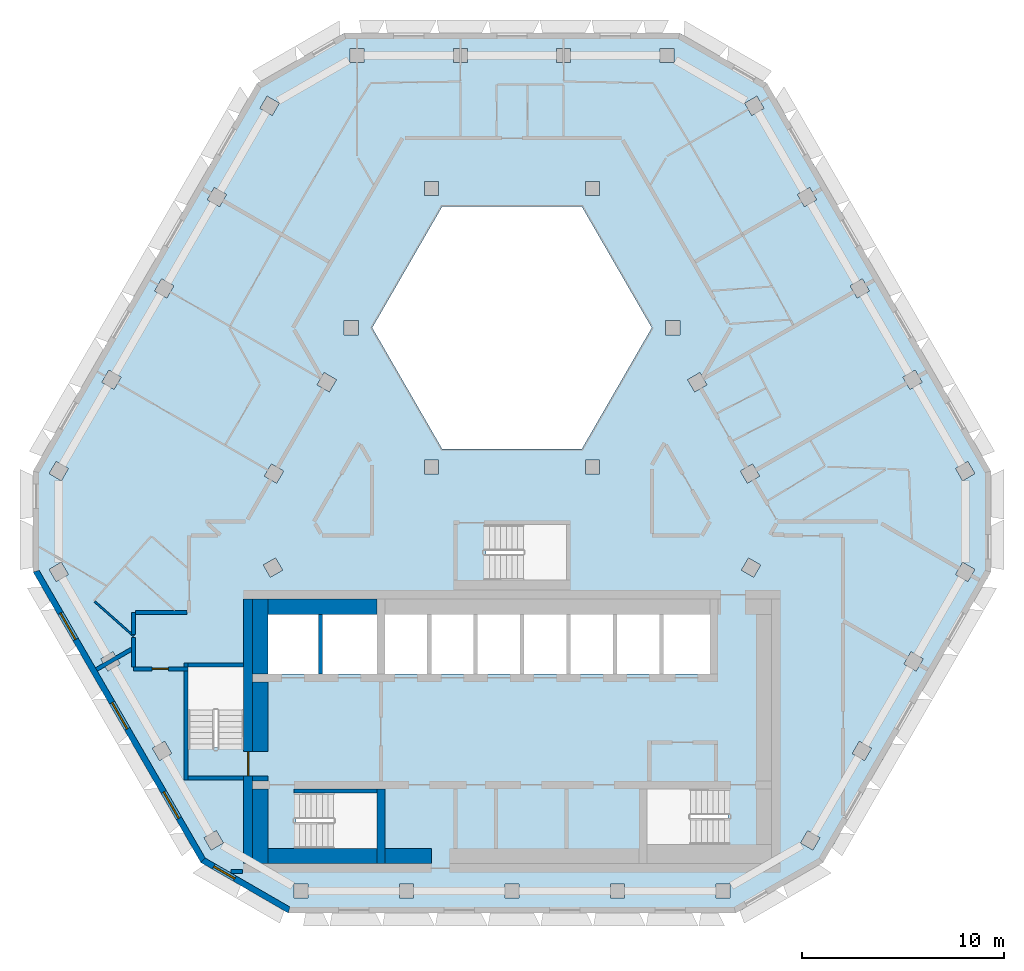
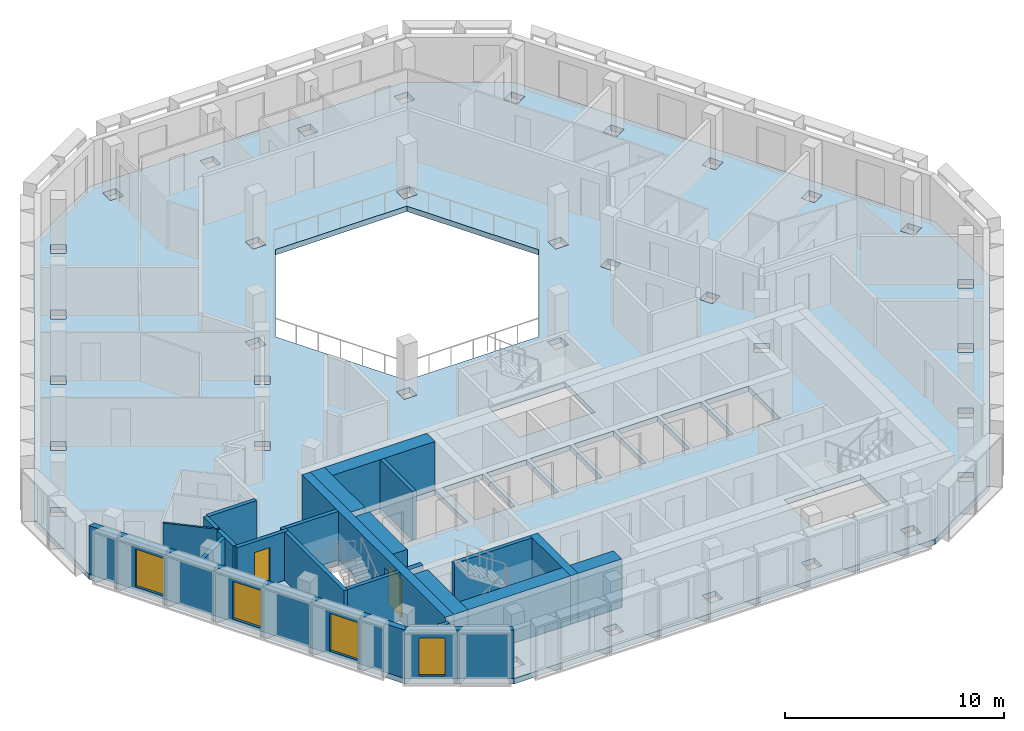
# One storey, part 2 of 14: 23 walls, 4 windows, 2 doors, 1 slab, 6 openings.
"""IFC4 building model written with IfcOpenShell, lengths in metres."""

from ifc_helpers import new_model, si_unit, direction, frame, frame_2d, origin, place, context, subcontext, project, spatial, polyline, rectangle, outline, extrude, material, layer, layer_set, type_object, element, fill, save


model = new_model("IFC4")

# Units and contexts
model_context = context("Model", 3, precision=1e-05, world=origin(), true_north=direction((0.0, 1.0)))
body_context = subcontext(model_context, "Body", "Model", "MODEL_VIEW")
ifc_project = project(units=[si_unit("LENGTHUNIT", "METRE"), si_unit("AREAUNIT", "SQUARE_METRE"), si_unit("VOLUMEUNIT", "CUBIC_METRE"), si_unit("PLANEANGLEUNIT", "RADIAN"), si_unit("MASSUNIT", "GRAM", prefix="KILO")], contexts=[model_context])

# Site, building, storey
site_placement = place(None, origin())
site = spatial("IfcSite", under=ifc_project, at=site_placement, CompositionType="ELEMENT")
building_placement = place(site_placement, origin())
building = spatial("IfcBuilding", under=site, at=building_placement, Name="Beryl Residences", CompositionType="ELEMENT")
storey_placement = place(building_placement, frame((0.0, 0.0, 223.800048828125)))
storey = spatial("IfcBuildingStorey", under=building, at=storey_placement, Name="L69", CompositionType="ELEMENT", Elevation=223.800048828125)

# Slab
ifc_material_1 = material(Name="Concrete C40/50", Category="concrete")
ifc_layer_1 = layer(ifc_material_1, 0.300048828125)
ifc_layer_set_1 = layer_set([ifc_layer_1], Name="SL7 PT floor slab 300 mm C40/50")
slab_type = type_object("IfcSlabType", Name="SL7 PT floor slab 300 mm C40/50", PredefinedType="FLOOR", material=ifc_layer_set_1)
slab_placement = place(storey_placement, frame((0.0, 0.0, -0.300048828125)))
element("IfcSlab", 1, at=slab_placement, inside=storey, type_object=slab_type, Name="L69 slab 1", PredefinedType="FLOOR", context=body_context, shape_type="SweptSolid", body=[
    extrude(outline(polyline([(23.72900390625, -4.10009765625), (15.4150390625, -18.5), (11.0849609375, -21.0), (-11.0849609375, -21.0), (-15.4150390625, -18.5), (-23.72900390625, -4.10009765625), (-23.72900390625, 0.89990234375), (-12.64404296875, 20.10009765625), (-8.31396484375, 22.60009765625), (8.31396484375, 22.60009765625), (12.64404296875, 20.10009765625), (23.72900390625, 0.89990234375), (23.72900390625, -4.10009765625)]), holes=[polyline([(21.97998046875, 1.028076171875), (22.330078125, 0.422119140625), (22.93603515625, 0.77197265625), (22.5859375, 1.3779296875), (21.97998046875, 1.028076171875)]), polyline([(21.97998046875, -4.22900390625), (22.5859375, -4.5791015625), (22.93603515625, -3.972900390625), (22.330078125, -3.623046875), (21.97998046875, -4.22900390625)]), polyline([(19.77099609375, -8.055908203125), (19.4208984375, -8.662109375), (20.027099609375, -9.011962890625), (20.376953125, -8.406005859375), (19.77099609375, -8.055908203125)]), polyline([(19.367919921875, 5.552978515625), (19.718017578125, 4.947021484375), (20.323974609375, 5.297119140625), (19.97412109375, 5.903076171875), (19.367919921875, 5.552978515625)]), polyline([(17.2109375, -12.489013671875), (16.861083984375, -13.094970703125), (17.467041015625, -13.445068359375), (17.81689453125, -12.839111328125), (17.2109375, -12.489013671875)]), polyline([(17.361083984375, 10.427978515625), (16.7548828125, 10.077880859375), (17.10498046875, 9.471923828125), (17.7109375, 9.822021484375), (17.361083984375, 10.427978515625)]), polyline([(15.258056640625, -17.27197265625), (14.652099609375, -16.922119140625), (14.302001953125, -17.528076171875), (14.907958984375, -17.8779296875), (15.258056640625, -17.27197265625)]), polyline([(14.14306640625, 14.60302734375), (14.492919921875, 13.9970703125), (15.09912109375, 14.346923828125), (14.7490234375, 14.952880859375), (14.14306640625, 14.60302734375)]), polyline([(11.531005859375, 19.1279296875), (11.881103515625, 18.52197265625), (12.487060546875, 18.8720703125), (12.136962890625, 19.47802734375), (11.531005859375, 19.1279296875)]), polyline([(11.717041015625, -3.406005859375), (11.366943359375, -4.011962890625), (11.972900390625, -4.362060546875), (12.322998046875, -3.756103515625), (11.717041015625, -3.406005859375)]), polyline([(11.919921875, 1.2529296875), (11.31396484375, 0.903076171875), (11.6640625, 0.297119140625), (12.27001953125, 0.64697265625), (11.919921875, 1.2529296875)]), polyline([(10.800048828125, -19.550048828125), (10.10009765625, -19.550048828125), (10.10009765625, -20.25), (10.800048828125, -20.25), (10.800048828125, -19.550048828125)]), polyline([(6.699951171875, -14.85009765625), (6.699951171875, -17.60009765625), (10.699951171875, -17.60009765625), (10.699951171875, -14.85009765625), (6.699951171875, -14.85009765625)]), polyline([(7.5, -9.14990234375), (9.800048828125, -9.14990234375), (9.800048828125, -6.199951171875), (7.5, -6.199951171875), (7.5, -9.14990234375)]), polyline([(8.700927734375, 5.427978515625), (9.051025390625, 4.822021484375), (9.656982421875, 5.172119140625), (9.306884765625, 5.778076171875), (8.700927734375, 5.427978515625)]), polyline([(8.31689453125, 7.64990234375), (8.31689453125, 8.35009765625), (7.616943359375, 8.35009765625), (7.616943359375, 7.64990234375), (8.31689453125, 7.64990234375)]), polyline([(7.3291015625, 21.85009765625), (7.3291015625, 21.14990234375), (8.029052734375, 21.14990234375), (8.029052734375, 21.85009765625), (7.3291015625, 21.85009765625)]), polyline([(5.199951171875, -9.14990234375), (7.300048828125, -9.14990234375), (7.300048828125, -6.199951171875), (5.199951171875, -6.199951171875), (5.199951171875, -9.14990234375)]), polyline([(3.464111328125, 14.0), (-3.464111328125, 14.0), (-6.92822265625, 8.0), (-3.464111328125, 2.0), (3.464111328125, 2.0), (6.92822265625, 8.0), (3.464111328125, 14.0)]), polyline([(4.875, -19.550048828125), (4.875, -20.25), (5.574951171875, -20.25), (5.574951171875, -19.550048828125), (4.875, -19.550048828125)]), polyline([(2.89990234375, -9.14990234375), (5.0, -9.14990234375), (5.0, -6.199951171875), (2.89990234375, -6.199951171875), (2.89990234375, -9.14990234375)]), polyline([(4.333984375, 15.25), (3.634033203125, 15.25), (3.634033203125, 14.550048828125), (4.333984375, 14.550048828125), (4.333984375, 15.25)]), polyline([(4.333984375, 1.449951171875), (3.634033203125, 1.449951171875), (3.634033203125, 0.75), (4.333984375, 0.75), (4.333984375, 1.449951171875)]), polyline([(2.2099609375, 21.85009765625), (2.2099609375, 21.14990234375), (2.909912109375, 21.14990234375), (2.909912109375, 21.85009765625), (2.2099609375, 21.85009765625)]), polyline([(2.699951171875, -9.14990234375), (2.699951171875, -6.199951171875), (0.60009765625, -6.199951171875), (0.60009765625, -9.14990234375), (2.699951171875, -9.14990234375)]), polyline([(2.699951171875, -4.5), (2.699951171875, -1.75), (-1.300048828125, -1.75), (-1.300048828125, -4.5), (2.699951171875, -4.5)]), polyline([(0.39990234375, -6.199951171875), (-1.699951171875, -6.199951171875), (-1.699951171875, -9.14990234375), (0.39990234375, -9.14990234375), (0.39990234375, -6.199951171875)]), polyline([(0.35009765625, -19.550048828125), (-0.35009765625, -19.550048828125), (-0.35009765625, -20.25), (0.35009765625, -20.25), (0.35009765625, -19.550048828125)]), polyline([(-4.0, -9.14990234375), (-1.89990234375, -9.14990234375), (-1.89990234375, -6.199951171875), (-4.0, -6.199951171875), (-4.0, -9.14990234375)]), polyline([(-2.908935546875, 21.14990234375), (-2.208984375, 21.14990234375), (-2.208984375, 21.85009765625), (-2.908935546875, 21.85009765625), (-2.908935546875, 21.14990234375)]), polyline([(-3.634033203125, 15.25), (-4.333984375, 15.25), (-4.333984375, 14.550048828125), (-3.634033203125, 14.550048828125), (-3.634033203125, 15.25)]), polyline([(-4.333984375, 1.449951171875), (-4.333984375, 0.75), (-3.634033203125, 0.75), (-3.634033203125, 1.449951171875), (-4.333984375, 1.449951171875)]), polyline([(-6.300048828125, -9.14990234375), (-4.199951171875, -9.14990234375), (-4.199951171875, -6.199951171875), (-6.300048828125, -6.199951171875), (-6.300048828125, -9.14990234375)]), polyline([(-4.875, -19.550048828125), (-5.574951171875, -19.550048828125), (-5.574951171875, -20.25), (-4.875, -20.25), (-4.875, -19.550048828125)]), polyline([(-9.39990234375, -6.199951171875), (-9.39990234375, -9.14990234375), (-6.699951171875, -9.14990234375), (-6.699951171875, -6.199951171875), (-9.39990234375, -6.199951171875)]), polyline([(-10.699951171875, -15.050048828125), (-10.699951171875, -17.800048828125), (-6.699951171875, -17.800048828125), (-6.699951171875, -15.050048828125), (-10.699951171875, -15.050048828125)]), polyline([(-8.028076171875, 21.14990234375), (-7.327880859375, 21.14990234375), (-7.327880859375, 21.85009765625), (-8.028076171875, 21.85009765625), (-8.028076171875, 21.14990234375)]), polyline([(-7.616943359375, 7.64990234375), (-7.616943359375, 8.35009765625), (-8.31689453125, 8.35009765625), (-8.31689453125, 7.64990234375), (-7.616943359375, 7.64990234375)]), polyline([(-9.051025390625, 4.822021484375), (-8.700927734375, 5.427978515625), (-9.306884765625, 5.778076171875), (-9.656982421875, 5.172119140625), (-9.051025390625, 4.822021484375)]), polyline([(-12.10009765625, -9.14990234375), (-9.60009765625, -9.14990234375), (-9.60009765625, -6.199951171875), (-12.10009765625, -6.199951171875), (-12.10009765625, -9.14990234375)]), polyline([(-10.800048828125, -19.550048828125), (-10.800048828125, -20.25), (-10.10009765625, -20.25), (-10.10009765625, -19.550048828125), (-10.800048828125, -19.550048828125)]), polyline([(-12.27001953125, 0.64697265625), (-11.6640625, 0.297119140625), (-11.31396484375, 0.903076171875), (-11.919921875, 1.2529296875), (-12.27001953125, 0.64697265625)]), polyline([(-11.972900390625, -4.361083984375), (-11.366943359375, -4.010986328125), (-11.717041015625, -3.405029296875), (-12.322998046875, -3.7548828125), (-11.972900390625, -4.361083984375)]), polyline([(-12.487060546875, 18.8720703125), (-11.881103515625, 18.52197265625), (-11.531005859375, 19.1279296875), (-12.136962890625, 19.47802734375), (-12.487060546875, 18.8720703125)]), polyline([(-13.300048828125, -8.800048828125), (-16.050048828125, -8.800048828125), (-16.050048828125, -12.800048828125), (-13.300048828125, -12.800048828125), (-13.300048828125, -8.800048828125)]), polyline([(-14.14306640625, 14.60302734375), (-14.7490234375, 14.952880859375), (-15.09912109375, 14.346923828125), (-14.492919921875, 13.9970703125), (-14.14306640625, 14.60302734375)]), polyline([(-14.302978515625, -17.527099609375), (-14.653076171875, -16.9208984375), (-15.259033203125, -17.27099609375), (-14.908935546875, -17.876953125), (-14.302978515625, -17.527099609375)]), polyline([(-17.10498046875, 9.471923828125), (-16.7548828125, 10.077880859375), (-17.361083984375, 10.427978515625), (-17.7109375, 9.822021484375), (-17.10498046875, 9.471923828125)]), polyline([(-17.2119140625, -12.488037109375), (-17.818115234375, -12.837890625), (-17.468017578125, -13.444091796875), (-16.862060546875, -13.093994140625), (-17.2119140625, -12.488037109375)]), polyline([(-19.718017578125, 4.947021484375), (-19.367919921875, 5.552978515625), (-19.97412109375, 5.903076171875), (-20.323974609375, 5.297119140625), (-19.718017578125, 4.947021484375)]), polyline([(-19.4208984375, -8.660888671875), (-19.77099609375, -8.054931640625), (-20.376953125, -8.405029296875), (-20.027099609375, -9.010986328125), (-19.4208984375, -8.660888671875)]), polyline([(-22.330078125, 0.422119140625), (-21.97998046875, 1.028076171875), (-22.5859375, 1.3779296875), (-22.93603515625, 0.77197265625), (-22.330078125, 0.422119140625)]), polyline([(-21.98095703125, -4.22802734375), (-22.3310546875, -3.6220703125), (-22.93701171875, -3.971923828125), (-22.5869140625, -4.577880859375), (-21.98095703125, -4.22802734375)])]), origin(), (0.0, 0.0, 1.0), 0.300048828125),
])

# Wall, openings, windows
ifc_material_2 = material(Name="Composite metal panel with mineral wool insulation")
ifc_layer_2 = layer(ifc_material_2, 0.300048828125)
ifc_layer_set_2 = layer_set([ifc_layer_2], Name="ES1 pale metal composite panel wall 300 mm")
wall_type_1 = type_object("IfcWallType", Name="ES1 pale metal composite panel wall 300 mm", PredefinedType="SOLIDWALL", material=ifc_layer_set_2)
wall_1_placement = place(storey_placement, frame((-23.59912109375, -4.02490234375, 0.0), z_axis=(0.0, 0.0, 1.0), x_axis=(0.500012653391, -0.866018098222, 0.0)))
wall_1 = element("IfcWall", 2, at=wall_1_placement, inside=storey, type_object=wall_type_1, Name="ES1 external wall L69 SW", PredefinedType="SOLIDWALL", context=body_context, shape_type="SweptSolid", body=[
    extrude(outline(polyline([(0.0, -0.14990234375), (16.6279296875, -0.14990234375), (16.547607421875, 0.14990234375), (0.080322265625, 0.14990234375), (0.0, -0.14990234375)])), origin(), (0.0, 0.0, 1.0), 2.699951171875),
])
opening_1_placement = place(wall_1_placement, frame((2.444091796875, 0.0, 0.14990234375)))
opening_1 = element("IfcOpeningElement", 3, at=opening_1_placement, cuts=wall_1, Name="Opening W1", PredefinedType="OPENING", context=body_context, shape_type="SweptSolid", body=[
    extrude(rectangle(XDim=1.5, YDim=2.10009765625, at=frame_2d((0.75, 1.050048828125))), frame((0.0, 0.159912109375, 0.0), z_axis=(0.0, -1.0, 0.0), x_axis=(1.0, 0.0, 0.0)), (0.0, 0.0, 1.0), 0.320068359375),
])
opening_2_placement = place(wall_1_placement, frame((7.56396484375, 0.0, 0.14990234375)))
opening_2 = element("IfcOpeningElement", 4, at=opening_2_placement, cuts=wall_1, Name="Opening W1", PredefinedType="OPENING", context=body_context, shape_type="SweptSolid", body=[
    extrude(rectangle(XDim=1.5, YDim=2.10009765625, at=frame_2d((0.75, 1.050048828125))), frame((0.0, 0.159912109375, 0.0), z_axis=(0.0, -1.0, 0.0), x_axis=(1.0, 0.0, 0.0)), (0.0, 0.0, 1.0), 0.320068359375),
])
opening_3_placement = place(wall_1_placement, frame((12.681884765625, 0.0, 0.14990234375)))
opening_3 = element("IfcOpeningElement", 5, at=opening_3_placement, cuts=wall_1, Name="Opening W1", PredefinedType="OPENING", context=body_context, shape_type="SweptSolid", body=[
    extrude(rectangle(XDim=1.5, YDim=2.10009765625, at=frame_2d((0.75, 1.050048828125))), frame((0.0, 0.159912109375, 0.0), z_axis=(0.0, -1.0, 0.0), x_axis=(1.0, 0.0, 0.0)), (0.0, 0.0, 1.0), 0.320068359375),
])
ifc_material_3 = material(Name="Aluminium and clear glass", Category="aluminium")
window_type_1 = type_object("IfcWindowType", Name="W1 cell window 1500 x 2100 mm", PartitioningType="SINGLE_PANEL", PredefinedType="WINDOW", material=ifc_material_3)
window_1_placement = place(opening_1_placement, origin())
window_1 = element("IfcWindow", 6, at=window_1_placement, inside=storey, type_object=window_type_1, Name="W1 window L69 SW 2", OverallHeight=2.10009765625, OverallWidth=1.5, PartitioningType="SINGLE_PANEL", PredefinedType="WINDOW", context=body_context, shape_type="SweptSolid", body=[
    extrude(rectangle(XDim=1.5, YDim=2.10009765625, at=frame_2d((0.75, 1.050048828125))), frame((0.0, 0.030029296875, 0.0), z_axis=(0.0, -1.0, 0.0), x_axis=(1.0, 0.0, 0.0)), (0.0, 0.0, 1.0), 0.06005859375),
])
fill(opening_1, window_1)
window_2_placement = place(opening_2_placement, origin())
window_2 = element("IfcWindow", 7, at=window_2_placement, inside=storey, type_object=window_type_1, Name="W1 window L69 SW 4", OverallHeight=2.10009765625, OverallWidth=1.5, PartitioningType="SINGLE_PANEL", PredefinedType="WINDOW", context=body_context, shape_type="SweptSolid", body=[
    extrude(rectangle(XDim=1.5, YDim=2.10009765625, at=frame_2d((0.75, 1.050048828125))), frame((0.0, 0.030029296875, 0.0), z_axis=(0.0, -1.0, 0.0), x_axis=(1.0, 0.0, 0.0)), (0.0, 0.0, 1.0), 0.06005859375),
])
fill(opening_2, window_2)
window_3_placement = place(opening_3_placement, origin())
window_3 = element("IfcWindow", 8, at=window_3_placement, inside=storey, type_object=window_type_1, Name="W1 window L69 SW 6", OverallHeight=2.10009765625, OverallWidth=1.5, PartitioningType="SINGLE_PANEL", PredefinedType="WINDOW", context=body_context, shape_type="SweptSolid", body=[
    extrude(rectangle(XDim=1.5, YDim=2.10009765625, at=frame_2d((0.75, 1.050048828125))), frame((0.0, 0.030029296875, 0.0), z_axis=(0.0, -1.0, 0.0), x_axis=(1.0, 0.0, 0.0)), (0.0, 0.0, 1.0), 0.06005859375),
])
fill(opening_3, window_3)

# Wall, opening, window
wall_2_placement = place(storey_placement, frame((-15.340087890625, -18.3701171875, 0.0), z_axis=(0.0, 0.0, 1.0), x_axis=(0.866022959057, -0.500004234368, 0.0)))
wall_2 = element("IfcWall", 9, at=wall_2_placement, inside=storey, type_object=wall_type_1, Name="ES1 external wall L69 SW-S", PredefinedType="SOLIDWALL", context=body_context, shape_type="SweptSolid", body=[
    extrude(outline(polyline([(0.0, -0.14990234375), (5.0, -0.14990234375), (4.919677734375, 0.14990234375), (0.080322265625, 0.14990234375), (0.0, -0.14990234375)])), origin(), (0.0, 0.0, 1.0), 2.699951171875),
])
opening_4_placement = place(wall_2_placement, frame((0.64990234375, 0.0, 0.14990234375)))
opening_4 = element("IfcOpeningElement", 10, at=opening_4_placement, cuts=wall_2, Name="Opening W2", PredefinedType="OPENING", context=body_context, shape_type="SweptSolid", body=[
    extrude(rectangle(XDim=1.199951171875, YDim=2.10009765625, at=frame_2d((0.60009765625, 1.050048828125))), frame((0.0, 0.159912109375, 0.0), z_axis=(0.0, -1.0, 0.0), x_axis=(1.0, 0.0, 0.0)), (0.0, 0.0, 1.0), 0.320068359375),
])
ifc_material_4 = material(Name="Aluminium and clear glass", Category="aluminium")
window_type_2 = type_object("IfcWindowType", Name="W2 chamfer window 1200 x 2100 mm", PartitioningType="SINGLE_PANEL", PredefinedType="WINDOW", material=ifc_material_4)
window_4_placement = place(opening_4_placement, origin())
window_4 = element("IfcWindow", 11, at=window_4_placement, inside=storey, type_object=window_type_2, Name="W2 window L69 SW-S 1", OverallHeight=2.10009765625, OverallWidth=1.199951171875, PartitioningType="SINGLE_PANEL", PredefinedType="WINDOW", context=body_context, shape_type="SweptSolid", body=[
    extrude(rectangle(XDim=1.199951171875, YDim=2.10009765625, at=frame_2d((0.60009765625, 1.050048828125))), frame((0.0, 0.030029296875, 0.0), z_axis=(0.0, -1.0, 0.0), x_axis=(1.0, 0.0, 0.0)), (0.0, 0.0, 1.0), 0.06005859375),
])
fill(opening_4, window_4)

# Walls
ifc_material_5 = material(Name="Gypsum board partition on steel studs", Category="steel")
ifc_layer_3 = layer(ifc_material_5, 0.10009765625)
ifc_layer_set_3 = layer_set([ifc_layer_3], Name="PT1 partition 100 mm gypsum board on steel studs")
wall_type_2 = type_object("IfcWallType", Name="PT1 partition 100 mm gypsum board on steel studs", PredefinedType="PARTITIONING", material=ifc_layer_set_3)
wall_3_placement = place(storey_placement, frame((-20.678955078125, -5.56494140625, 0.0), z_axis=(0.0, 0.0, 1.0), x_axis=(0.748495475416, -0.663139897217, 0.0)))
element("IfcWall", 12, at=wall_3_placement, inside=storey, type_object=wall_type_2, Name="Wall PT1 L69 020", PredefinedType="PARTITIONING", context=body_context, shape_type="SweptSolid", body=[
    extrude(rectangle(XDim=2.5771484375, YDim=0.10009765625, at=frame_2d((1.28857421875, 0.0))), origin(), (0.0, 0.0, 1.0), 2.699951171875),
])
ifc_material_6 = material(Name="Concrete masonry", Category="masonry")
ifc_layer_4 = layer(ifc_material_6, 0.25)
ifc_layer_set_4 = layer_set([ifc_layer_4], Name="PT13-250 lobby wall 250 mm")
wall_type_3 = type_object("IfcWallType", Name="PT13-250 lobby wall 250 mm", PredefinedType="PARTITIONING", material=ifc_layer_set_4)
wall_4_placement = place(storey_placement, frame((-12.85009765625, -14.324951171875, 0.0), z_axis=(0.0, 0.0, 1.0), x_axis=(1.0, 0.0, 0.0)))
element("IfcWall", 13, at=wall_4_placement, inside=storey, type_object=wall_type_3, Name="Lobby wall 05", PredefinedType="PARTITIONING", context=body_context, shape_type="SweptSolid", body=[
    extrude(rectangle(XDim=0.75, YDim=0.25, at=frame_2d((0.375, 0.0))), origin(), (0.0, 0.0, 1.0), 2.699951171875),
])
ifc_material_7 = material(Name="Concrete masonry", Category="masonry")
ifc_layer_5 = layer(ifc_material_7, 0.75)
ifc_layer_set_5 = layer_set([ifc_layer_5], Name="PT13-750 lobby wall 750 mm")
wall_type_4 = type_object("IfcWallType", Name="PT13-750 lobby wall 750 mm", PredefinedType="PARTITIONING", material=ifc_layer_set_5)
wall_5_placement = place(storey_placement, frame((-12.47509765625, -13.0, 0.0), z_axis=(0.0, 0.0, 1.0), x_axis=(0.0, 1.0, 0.0)))
element("IfcWall", 14, at=wall_5_placement, inside=storey, type_object=wall_type_4, Name="Lobby wall 06", PredefinedType="PARTITIONING", context=body_context, shape_type="SweptSolid", body=[
    extrude(rectangle(XDim=3.449951171875, YDim=0.75, at=frame_2d((1.72509765625, 0.0))), origin(), (0.0, 0.0, 1.0), 2.699951171875),
])
ifc_material_8 = material(Name="Acoustic double stud gypsum board wall")
ifc_layer_6 = layer(ifc_material_8, 0.199951171875)
ifc_layer_set_6 = layer_set([ifc_layer_6], Name="PT3 party wall 200 mm acoustic double stud")
wall_type_5 = type_object("IfcWallType", Name="PT3 party wall 200 mm acoustic double stud", PredefinedType="PARTITIONING", material=ifc_layer_set_6)
wall_6_placement = place(storey_placement, frame((-13.9150390625, -18.949951171875, 0.0), z_axis=(0.0, 0.0, 1.0), x_axis=(1.0, 0.0, 0.0)))
element("IfcWall", 15, at=wall_6_placement, inside=storey, type_object=wall_type_5, Name="Wall PT3 L69 007", PredefinedType="PARTITIONING", context=body_context, shape_type="SweptSolid", body=[
    extrude(rectangle(XDim=0.554931640625, YDim=0.199951171875, at=frame_2d((0.27734375, 0.0))), origin(), (0.0, 0.0, 1.0), 2.699951171875),
])
wall_7_placement = place(storey_placement, frame((-20.592041015625, -8.93310546875, 0.0), z_axis=(0.0, 0.0, 1.0), x_axis=(0.865941000796, 0.500146161777, 0.0)))
element("IfcWall", 16, at=wall_7_placement, inside=storey, type_object=wall_type_5, Name="Wall PT3 L69 011", PredefinedType="PARTITIONING", context=body_context, shape_type="SweptSolid", body=[
    extrude(rectangle(XDim=2.01171875, YDim=0.199951171875, at=frame_2d((1.005859375, 0.0))), origin(), (0.0, 0.0, 1.0), 2.699951171875),
])
ifc_material_9 = material(Name="Double stud gypsum board wall")
ifc_layer_7 = layer(ifc_material_9, 0.199951171875)
ifc_layer_set_7 = layer_set([ifc_layer_7], Name="PT4 corridor wall 200 mm double stud")
wall_type_6 = type_object("IfcWallType", Name="PT4 corridor wall 200 mm double stud", PredefinedType="PARTITIONING", material=ifc_layer_set_7)
wall_8_placement = place(storey_placement, frame((-18.75, -7.341064453125, 0.0), z_axis=(0.0, 0.0, 1.0), x_axis=(0.0, -1.0, 0.0)))
element("IfcWall", 17, at=wall_8_placement, inside=storey, type_object=wall_type_6, Name="Wall PT4 L69 007", PredefinedType="PARTITIONING", context=body_context, shape_type="SweptSolid", body=[
    extrude(rectangle(XDim=1.4580078125, YDim=0.199951171875, at=frame_2d((0.72900390625, 0.0))), origin(), (0.0, 0.0, 1.0), 2.699951171875),
])
wall_9_placement = place(storey_placement, frame((-18.64892578125, -6.10009765625, 0.0), z_axis=(0.0, 0.0, 1.0), x_axis=(1.0, 0.0, 0.0)))
element("IfcWall", 18, at=wall_9_placement, inside=storey, type_object=wall_type_6, Name="Wall PT4 L69 010", PredefinedType="PARTITIONING", context=body_context, shape_type="SweptSolid", body=[
    extrude(rectangle(XDim=2.5478515625, YDim=0.199951171875, at=frame_2d((1.27392578125, 0.0))), origin(), (0.0, 0.0, 1.0), 2.699951171875),
])

# Wall, opening, door
wall_10_placement = place(storey_placement, frame((-18.7490234375, -8.89990234375, 0.0), z_axis=(0.0, 0.0, 1.0), x_axis=(1.0, 0.0, 0.0)))
wall_10 = element("IfcWall", 19, at=wall_10_placement, inside=storey, type_object=wall_type_6, Name="Wall PT4 L69 011", PredefinedType="PARTITIONING", context=body_context, shape_type="SweptSolid", body=[
    extrude(rectangle(XDim=2.698974609375, YDim=0.199951171875, at=frame_2d((1.349609375, 0.0))), origin(), (0.0, 0.0, 1.0), 2.699951171875),
])
opening_5_placement = place(wall_10_placement, frame((0.9189453125, 0.0, 0.0)))
opening_5 = element("IfcOpeningElement", 20, at=opening_5_placement, cuts=wall_10, Name="Opening D2220", PredefinedType="OPENING", context=body_context, shape_type="SweptSolid", body=[
    extrude(rectangle(XDim=0.800048828125, YDim=2.10009765625, at=frame_2d((0.39990234375, 1.050048828125))), frame((0.0, 0.10986328125, 0.0), z_axis=(0.0, -1.0, 0.0), x_axis=(1.0, 0.0, 0.0)), (0.0, 0.0, 1.0), 0.219970703125),
])
ifc_material_10 = material(Name="Timber door leaf", Category="wood")
door_type_1 = type_object("IfcDoorType", Name="D3 bathroom door 800 x 2100 mm", OperationType="SINGLE_SWING_LEFT", PredefinedType="DOOR", material=ifc_material_10)
door_1_placement = place(opening_5_placement, origin())
door_1 = element("IfcDoor", 21, at=door_1_placement, inside=storey, type_object=door_type_1, Name="Door D2220 L69 001", OperationType="SINGLE_SWING_RIGHT", OverallHeight=2.10009765625, OverallWidth=0.800048828125, PredefinedType="DOOR", context=body_context, shape_type="SweptSolid", body=[
    extrude(rectangle(XDim=0.800048828125, YDim=2.10009765625, at=frame_2d((0.39990234375, 1.050048828125))), frame((0.0, 0.02490234375, 0.0), z_axis=(0.0, -1.0, 0.0), x_axis=(1.0, 0.0, 0.0)), (0.0, 0.0, 1.0), 0.050048828125),
])
fill(opening_5, door_1)

# Walls
wall_11_placement = place(storey_placement, frame((-18.75, -7.20703125, 0.0), z_axis=(0.0, 0.0, 1.0), x_axis=(0.0, 1.0, 0.0)))
element("IfcWall", 22, at=wall_11_placement, inside=storey, type_object=wall_type_6, Name="Wall PT4 L69 028", PredefinedType="PARTITIONING", context=body_context, shape_type="SweptSolid", body=[
    extrude(rectangle(XDim=1.10595703125, YDim=0.199951171875, at=frame_2d((0.552978515625, 0.0))), origin(), (0.0, 0.0, 1.0), 2.699951171875),
])
ifc_material_11 = material(Name="Concrete C40/50", Category="concrete")
ifc_layer_8 = layer(ifc_material_11, 0.199951171875)
ifc_layer_set_8 = layer_set([ifc_layer_8], Name="PT5 stair enclosure wall 200 mm reinforced concrete C40/50")
wall_type_7 = type_object("IfcWallType", Name="PT5 stair enclosure wall 200 mm reinforced concrete C40/50", PredefinedType="SOLIDWALL", material=ifc_layer_set_8)
wall_12_placement = place(storey_placement, frame((-16.14990234375, -14.39990234375, 0.0), z_axis=(0.0, 0.0, 1.0), x_axis=(0.0, 1.0, 0.0)))
element("IfcWall", 23, at=wall_12_placement, inside=storey, type_object=wall_type_7, Name="Stair wall 01", PredefinedType="SOLIDWALL", context=body_context, shape_type="SweptSolid", body=[
    extrude(rectangle(XDim=5.7998046875, YDim=0.199951171875, at=frame_2d((2.89990234375, 0.0))), origin(), (0.0, 0.0, 1.0), 2.699951171875),
])
for number, where, z_axis, x_axis, name in (
    (24, (-16.050048828125, -14.300048828125, 0.0), (0.0, 0.0, 1.0), (1.0, 0.0, 0.0), "Stair wall 02"),
    (25, (-16.050048828125, -8.699951171875, 0.0), (0.0, 0.0, 1.0), (1.0, 0.0, 0.0), "Stair wall 03"),
):
    element("IfcWall", number, at=place(storey_placement, frame(where, z_axis=z_axis, x_axis=x_axis)), inside=storey, type_object=wall_type_7, Name=name, PredefinedType="SOLIDWALL", context=body_context, shape_type="SweptSolid", body=[
        extrude(rectangle(XDim=2.75, YDim=0.199951171875, at=frame_2d((1.375, 0.0))), origin(), (0.0, 0.0, 1.0), 2.699951171875),
    ])
wall_13_placement = place(storey_placement, frame((-10.800048828125, -14.949951171875, 0.0), z_axis=(0.0, 0.0, 1.0), x_axis=(1.0, 0.0, 0.0)))
element("IfcWall", 26, at=wall_13_placement, inside=storey, type_object=wall_type_7, Name="Stair wall 10", PredefinedType="SOLIDWALL", context=body_context, shape_type="SweptSolid", body=[
    extrude(rectangle(XDim=4.10009765625, YDim=0.199951171875, at=frame_2d((2.050048828125, 0.0))), origin(), (0.0, 0.0, 1.0), 2.699951171875),
])
ifc_material_12 = material(Name="Concrete C40/50", Category="concrete")
ifc_layer_9 = layer(ifc_material_12, 0.75)
ifc_layer_set_9 = layer_set([ifc_layer_9], Name="PT5-750 stair enclosure wall 750 mm")
wall_type_8 = type_object("IfcWallType", Name="PT5-750 stair enclosure wall 750 mm", PredefinedType="SOLIDWALL", material=ifc_layer_set_9)
wall_14_placement = place(storey_placement, frame((-12.47509765625, -18.550048828125, 0.0), z_axis=(0.0, 0.0, 1.0), x_axis=(0.0, 1.0, 0.0)))
element("IfcWall", 27, at=wall_14_placement, inside=storey, type_object=wall_type_8, Name="Stair wall 04", PredefinedType="SOLIDWALL", context=body_context, shape_type="SweptSolid", body=[
    extrude(rectangle(XDim=3.699951171875, YDim=0.75, at=frame_2d((1.85009765625, 0.0))), origin(), (0.0, 0.0, 1.0), 2.699951171875),
])
wall_15_placement = place(storey_placement, frame((-12.10009765625, -18.175048828125, 0.0), z_axis=(0.0, 0.0, 1.0), x_axis=(1.0, 0.0, 0.0)))
element("IfcWall", 28, at=wall_15_placement, inside=storey, type_object=wall_type_8, Name="Stair wall 08", PredefinedType="SOLIDWALL", context=body_context, shape_type="SweptSolid", body=[
    extrude(rectangle(XDim=5.400146484375, YDim=0.75, at=frame_2d((2.7001953125, 0.0))), origin(), (0.0, 0.0, 1.0), 2.699951171875),
])
ifc_material_13 = material(Name="Concrete C40/50", Category="concrete")
ifc_layer_10 = layer(ifc_material_13, 0.199951171875)
ifc_layer_set_10 = layer_set([ifc_layer_10], Name="PT6 lift shaft wall 200 mm reinforced concrete C40/50")
wall_type_9 = type_object("IfcWallType", Name="PT6 lift shaft wall 200 mm reinforced concrete C40/50", PredefinedType="SOLIDWALL", material=ifc_layer_set_10)
wall_16_placement = place(storey_placement, frame((-9.5, -9.14990234375, 0.0), z_axis=(0.0, 0.0, 1.0), x_axis=(0.0, 1.0, 0.0)))
element("IfcWall", 29, at=wall_16_placement, inside=storey, type_object=wall_type_9, Name="Lift shaft wall 11", PredefinedType="SOLIDWALL", context=body_context, shape_type="SweptSolid", body=[
    extrude(rectangle(XDim=2.949951171875, YDim=0.199951171875, at=frame_2d((1.47509765625, 0.0))), origin(), (0.0, 0.0, 1.0), 2.699951171875),
])
ifc_material_14 = material(Name="Concrete C40/50", Category="concrete")
ifc_layer_11 = layer(ifc_material_14, 0.75)
ifc_layer_set_11 = layer_set([ifc_layer_11], Name="PT6-750 lift shaft wall 750 mm")
wall_type_10 = type_object("IfcWallType", Name="PT6-750 lift shaft wall 750 mm", PredefinedType="SOLIDWALL", material=ifc_layer_set_11)
wall_17_placement = place(storey_placement, frame((-12.47509765625, -9.14990234375, 0.0), z_axis=(0.0, 0.0, 1.0), x_axis=(0.0, 1.0, 0.0)))
element("IfcWall", 30, at=wall_17_placement, inside=storey, type_object=wall_type_10, Name="Lift shaft wall 07", PredefinedType="SOLIDWALL", context=body_context, shape_type="SweptSolid", body=[
    extrude(rectangle(XDim=3.699951171875, YDim=0.75, at=frame_2d((1.85009765625, 0.0))), origin(), (0.0, 0.0, 1.0), 2.699951171875),
])
wall_18_placement = place(storey_placement, frame((-12.10009765625, -5.824951171875, 0.0), z_axis=(0.0, 0.0, 1.0), x_axis=(1.0, 0.0, 0.0)))
element("IfcWall", 31, at=wall_18_placement, inside=storey, type_object=wall_type_10, Name="Lift shaft wall 09", PredefinedType="SOLIDWALL", context=body_context, shape_type="SweptSolid", body=[
    extrude(rectangle(XDim=5.400146484375, YDim=0.75, at=frame_2d((2.7001953125, 0.0))), origin(), (0.0, 0.0, 1.0), 2.699951171875),
])
ifc_material_15 = material(Name="Concrete masonry", Category="masonry")
ifc_layer_12 = layer(ifc_material_15, 0.75)
ifc_layer_set_12 = layer_set([ifc_layer_12], Name="PT8-750 service room wall 750 mm")
wall_type_11 = type_object("IfcWallType", Name="PT8-750 service room wall 750 mm", PredefinedType="PARTITIONING", material=ifc_layer_set_12)
wall_19_placement = place(storey_placement, frame((-6.300048828125, -18.175048828125, 0.0), z_axis=(0.0, 0.0, 1.0), x_axis=(1.0, 0.0, 0.0)))
element("IfcWall", 32, at=wall_19_placement, inside=storey, type_object=wall_type_11, Name="Core room wall 13", PredefinedType="PARTITIONING", context=body_context, shape_type="SweptSolid", body=[
    extrude(rectangle(XDim=2.300048828125, YDim=0.75, at=frame_2d((1.14990234375, 0.0))), origin(), (0.0, 0.0, 1.0), 2.699951171875),
])
ifc_material_16 = material(Name="Concrete C50/60", Category="concrete")
ifc_layer_13 = layer(ifc_material_16, 0.39990234375)
ifc_layer_set_13 = layer_set([ifc_layer_13], Name="SW10 core internal wall 400 mm C50/60")
wall_type_12 = type_object("IfcWallType", Name="SW10 core internal wall 400 mm C50/60", PredefinedType="SHEAR", material=ifc_layer_set_13)
wall_20_placement = place(storey_placement, frame((-6.5, -18.550048828125, 0.0), z_axis=(0.0, 0.0, 1.0), x_axis=(0.0, 1.0, 0.0)))
element("IfcWall", 33, at=wall_20_placement, inside=storey, type_object=wall_type_12, Name="Core wall XS1 L69", PredefinedType="SHEAR", context=body_context, shape_type="SweptSolid", body=[
    extrude(rectangle(XDim=3.699951171875, YDim=0.39990234375, at=frame_2d((1.85009765625, 0.0))), origin(), (0.0, 0.0, 1.0), 2.699951171875),
])

# Wall, opening, door
ifc_material_17 = material(Name="Concrete C50/60", Category="concrete")
ifc_layer_14 = layer(ifc_material_17, 0.449951171875)
ifc_layer_set_14 = layer_set([ifc_layer_14], Name="SW5 core outer wall 450 mm C50/60")
wall_type_13 = type_object("IfcWallType", Name="SW5 core outer wall 450 mm C50/60", PredefinedType="SHEAR", material=ifc_layer_set_14)
wall_21_placement = place(storey_placement, frame((-13.074951171875, -18.550048828125, 0.0), z_axis=(0.0, 0.0, 1.0), x_axis=(0.0, 1.0, 0.0)))
wall_21 = element("IfcWall", 34, at=wall_21_placement, inside=storey, type_object=wall_type_13, Name="Core wall W L69", PredefinedType="SHEAR", context=body_context, shape_type="SweptSolid", body=[
    extrude(rectangle(XDim=13.10009765625, YDim=0.449951171875, at=frame_2d((6.550048828125, 0.0))), origin(), (0.0, 0.0, 1.0), 2.699951171875),
])
opening_6_placement = place(wall_21_placement, frame((4.35009765625, 0.0, 0.0)))
opening_6 = element("IfcOpeningElement", 35, at=opening_6_placement, cuts=wall_21, Name="Opening SD-2", PredefinedType="OPENING", context=body_context, shape_type="SweptSolid", body=[
    extrude(rectangle(XDim=1.199951171875, YDim=2.10009765625, at=frame_2d((0.60009765625, 1.050048828125))), frame((0.0, 0.23486328125, 0.0), z_axis=(0.0, -1.0, 0.0), x_axis=(1.0, 0.0, 0.0)), (0.0, 0.0, 1.0), 0.469970703125),
])
ifc_material_18 = material(Name="Steel door leaf in steel frame", Category="steel")
door_type_2 = type_object("IfcDoorType", Name="D4 stair door 1200 x 2100 mm", OperationType="SINGLE_SWING_LEFT", PredefinedType="DOOR", material=ifc_material_18)
door_2_placement = place(opening_6_placement, origin())
door_2 = element("IfcDoor", 36, at=door_2_placement, inside=storey, type_object=door_type_2, Name="Door SD-2 L69 001", OperationType="SINGLE_SWING_RIGHT", OverallHeight=2.10009765625, OverallWidth=1.199951171875, PredefinedType="DOOR", context=body_context, shape_type="SweptSolid", body=[
    extrude(rectangle(XDim=1.199951171875, YDim=2.10009765625, at=frame_2d((0.60009765625, 1.050048828125))), frame((0.0, 0.02490234375, 0.0), z_axis=(0.0, -1.0, 0.0), x_axis=(1.0, 0.0, 0.0)), (0.0, 0.0, 1.0), 0.050048828125),
])
fill(opening_6, door_2)

save(model, "model.ifc")
